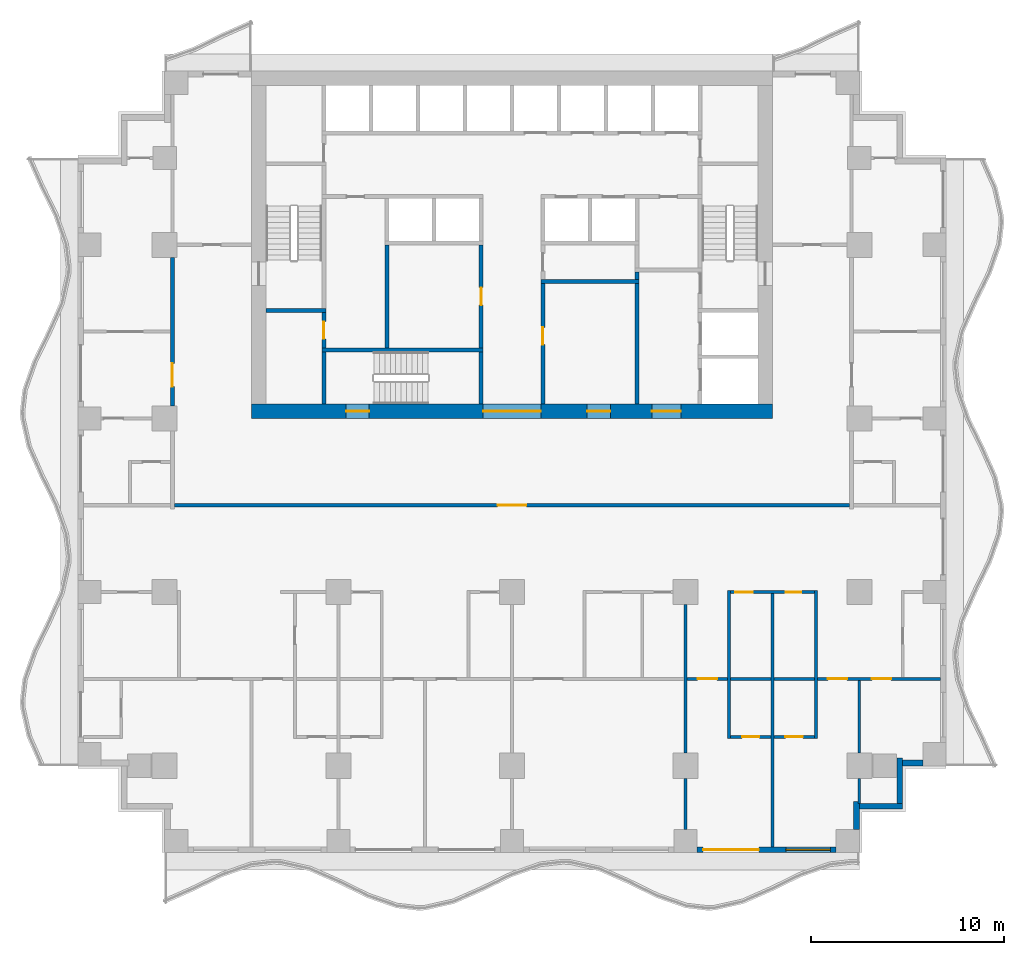
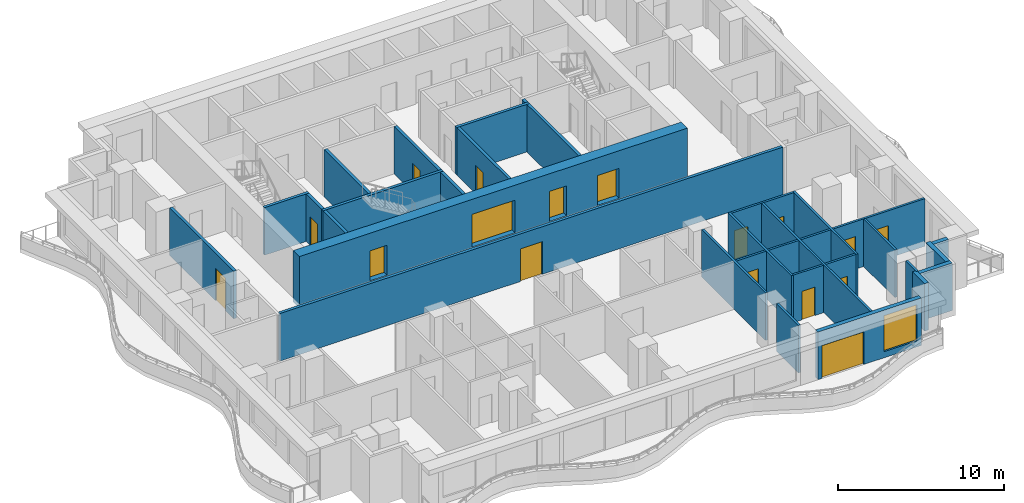
# One storey, part 3 of 10: 33 walls, 17 doors, 1 window, 18 openings.
"""IFC4 building model written with IfcOpenShell, lengths in metres."""

from ifc_helpers import new_model, si_unit, direction, frame, frame_2d, origin, place, context, subcontext, project, spatial, rectangle, extrude, material, layer, layer_set, type_object, element, fill, save


model = new_model("IFC4")

# Units and contexts
model_context = context("Model", 3, precision=1e-05, world=origin(), true_north=direction((0.0, 1.0)))
body_context = subcontext(model_context, "Body", "Model", "MODEL_VIEW")
ifc_project = project(units=[si_unit("LENGTHUNIT", "METRE"), si_unit("AREAUNIT", "SQUARE_METRE"), si_unit("VOLUMEUNIT", "CUBIC_METRE"), si_unit("PLANEANGLEUNIT", "RADIAN"), si_unit("MASSUNIT", "GRAM", prefix="KILO")], contexts=[model_context])

# Site, building, storey
site_placement = place(None, origin())
site = spatial("IfcSite", under=ifc_project, at=site_placement, CompositionType="ELEMENT")
building_placement = place(site_placement, origin())
building = spatial("IfcBuilding", under=site, at=building_placement, Name="Orbiselva Terraces", CompositionType="ELEMENT")
storey_placement = place(building_placement, frame((0.0, 0.0, 125.0)))
storey = spatial("IfcBuildingStorey", under=building, at=storey_placement, Name="L31", CompositionType="ELEMENT", Elevation=125.0)

# Wall, openings, doors
ifc_material_1 = material(Name="Concrete C80/95", Category="concrete")
ifc_layer_1 = layer(ifc_material_1, 0.75)
ifc_layer_set_1 = layer_set([ifc_layer_1], Name="Concrete C80/95")
wall_type_1 = type_object("IfcWallType", Name="CORE WALL 750", PredefinedType="SHEAR", material=ifc_layer_set_1)
wall_1_placement = place(storey_placement, frame((-13.5, 4.875, -0.3), z_axis=(0.0, 0.0, 1.0), x_axis=(1.0, 0.0, 0.0)))
wall_1 = element("IfcWall", 1, at=wall_1_placement, inside=storey, type_object=wall_type_1, Name="Core wall L31 south", PredefinedType="SHEAR", context=body_context, shape_type="SweptSolid", body=[
    extrude(rectangle(XDim=27.0, YDim=0.75, at=frame_2d((13.5, 0.0))), origin(), (0.0, 0.0, 1.0), 3.8),
])
opening_1_placement = place(wall_1_placement, frame((12.0, 0.0, 0.3)))
opening_1 = element("IfcOpeningElement", 2, at=opening_1_placement, cuts=wall_1, Name="Opening DL3000", PredefinedType="OPENING", context=body_context, shape_type="SweptSolid", body=[
    extrude(rectangle(XDim=3.0, YDim=2.4, at=frame_2d((1.5, 1.2))), frame((0.0, 0.385, 0.0), z_axis=(0.0, -1.0, 0.0), x_axis=(1.0, 0.0, 0.0)), (0.0, 0.0, 1.0), 0.77),
])
opening_2_placement = place(wall_1_placement, frame((4.9, 0.0, 0.3)))
opening_2 = element("IfcOpeningElement", 3, at=opening_2_placement, cuts=wall_1, Name="Opening DS1200", PredefinedType="OPENING", context=body_context, shape_type="SweptSolid", body=[
    extrude(rectangle(XDim=1.2, YDim=2.2, at=frame_2d((0.6, 1.1))), frame((0.0, 0.385, 0.0), z_axis=(0.0, -1.0, 0.0), x_axis=(1.0, 0.0, 0.0)), (0.0, 0.0, 1.0), 0.77),
])
opening_3_placement = place(wall_1_placement, frame((20.75, 0.0, 0.3)))
opening_3 = element("IfcOpeningElement", 4, at=opening_3_placement, cuts=wall_1, Name="Opening DF1500", PredefinedType="OPENING", context=body_context, shape_type="SweptSolid", body=[
    extrude(rectangle(XDim=1.5, YDim=2.2, at=frame_2d((0.75, 1.1))), frame((0.0, 0.385, 0.0), z_axis=(0.0, -1.0, 0.0), x_axis=(1.0, 0.0, 0.0)), (0.0, 0.0, 1.0), 0.77),
])
opening_4_placement = place(wall_1_placement, frame((17.4, 0.0, 0.3)))
opening_4 = element("IfcOpeningElement", 5, at=opening_4_placement, cuts=wall_1, Name="Opening DV1200", PredefinedType="OPENING", context=body_context, shape_type="SweptSolid", body=[
    extrude(rectangle(XDim=1.2, YDim=2.2, at=frame_2d((0.6, 1.1))), frame((0.0, 0.385, 0.0), z_axis=(0.0, -1.0, 0.0), x_axis=(1.0, 0.0, 0.0)), (0.0, 0.0, 1.0), 0.77),
])
ifc_material_2 = material(Name="Steel fire door", Category="steel")
door_type_1 = type_object("IfcDoorType", Name="FFL DOOR 1500", OperationType="DOUBLE_DOOR_SINGLE_SWING", PredefinedType="DOOR", material=ifc_material_2)
door_1_placement = place(opening_3_placement, frame((1.5, 0.0, 0.0), z_axis=(0.0, 0.0, 1.0), x_axis=(-1.0, 0.0, 0.0)))
door_1 = element("IfcDoor", 6, at=door_1_placement, inside=storey, type_object=door_type_1, Name="L31 FIRE-FIGHTING LOBBY door", OperationType="DOUBLE_DOOR_SINGLE_SWING", OverallHeight=2.2, OverallWidth=1.5, PredefinedType="DOOR", context=body_context, shape_type="SweptSolid", body=[
    extrude(rectangle(XDim=1.5, YDim=2.2, at=frame_2d((0.75, 1.1))), frame((0.0, 0.025, 0.0), z_axis=(0.0, -1.0, 0.0), x_axis=(1.0, 0.0, 0.0)), (0.0, 0.0, 1.0), 0.05),
])
fill(opening_3, door_1)
door_type_2 = type_object("IfcDoorType", Name="LOBBY DOOR 3000", OperationType="DOUBLE_DOOR_SINGLE_SWING", PredefinedType="DOOR", material=ifc_material_2)
door_2_placement = place(opening_1_placement, frame((3.0, 0.0, 0.0), z_axis=(0.0, 0.0, 1.0), x_axis=(-1.0, 0.0, 0.0)))
door_2 = element("IfcDoor", 7, at=door_2_placement, inside=storey, type_object=door_type_2, Name="L31 LIFT LOBBY door", OperationType="DOUBLE_DOOR_SINGLE_SWING", OverallHeight=2.4, OverallWidth=3.0, PredefinedType="DOOR", context=body_context, shape_type="SweptSolid", body=[
    extrude(rectangle(XDim=3.0, YDim=2.4, at=frame_2d((1.5, 1.2))), frame((0.0, 0.025, 0.0), z_axis=(0.0, -1.0, 0.0), x_axis=(1.0, 0.0, 0.0)), (0.0, 0.0, 1.0), 0.05),
])
fill(opening_1, door_2)
door_type_3 = type_object("IfcDoorType", Name="SERVICE DOOR 1200", OperationType="NOTDEFINED", PredefinedType="DOOR", material=ifc_material_2)
door_3_placement = place(opening_4_placement, frame((1.2, 0.0, 0.0), z_axis=(0.0, 0.0, 1.0), x_axis=(-1.0, 0.0, 0.0)))
door_3 = element("IfcDoor", 8, at=door_3_placement, inside=storey, type_object=door_type_3, Name="L31 SERVICE ROOM door", OperationType="SINGLE_SWING_RIGHT", OverallHeight=2.2, OverallWidth=1.2, PredefinedType="DOOR", context=body_context, shape_type="SweptSolid", body=[
    extrude(rectangle(XDim=1.2, YDim=2.2, at=frame_2d((0.6, 1.1))), frame((0.0, 0.025, 0.0), z_axis=(0.0, -1.0, 0.0), x_axis=(1.0, 0.0, 0.0)), (0.0, 0.0, 1.0), 0.05),
])
fill(opening_4, door_3)
door_type_4 = type_object("IfcDoorType", Name="STAIR DOOR 1200", OperationType="NOTDEFINED", PredefinedType="DOOR", material=ifc_material_2)
door_4_placement = place(opening_2_placement, frame((1.2, 0.0, 0.0), z_axis=(0.0, 0.0, 1.0), x_axis=(-1.0, 0.0, 0.0)))
door_4 = element("IfcDoor", 9, at=door_4_placement, inside=storey, type_object=door_type_4, Name="L31 EXIT STAIR S3 door", OperationType="SINGLE_SWING_LEFT", OverallHeight=2.2, OverallWidth=1.2, PredefinedType="DOOR", context=body_context, shape_type="SweptSolid", body=[
    extrude(rectangle(XDim=1.2, YDim=2.2, at=frame_2d((0.6, 1.1))), frame((0.0, 0.025, 0.0), z_axis=(0.0, -1.0, 0.0), x_axis=(1.0, 0.0, 0.0)), (0.0, 0.0, 1.0), 0.05),
])
fill(opening_2, door_4)

# Wall, opening, door
ifc_material_3 = material(Name="Masonry blockwork", Category="masonry")
ifc_layer_2 = layer(ifc_material_3, 0.2)
ifc_layer_set_2 = layer_set([ifc_layer_2], Name="Masonry blockwork")
wall_type_2 = type_object("IfcWallType", Name="CORE-WALL-PARTITION-200", PredefinedType="PARTITIONING", material=ifc_layer_set_2)
wall_2_placement = place(storey_placement, frame((-9.75, 8.15, 0.0), z_axis=(0.0, 0.0, 1.0), x_axis=(0.0, 1.0, 0.0)))
wall_2 = element("IfcWall", 10, at=wall_2_placement, inside=storey, type_object=wall_type_2, Name="L31 core wall 05", PredefinedType="PARTITIONING", context=body_context, shape_type="SweptSolid", body=[
    extrude(rectangle(XDim=1.85, YDim=0.2, at=frame_2d((0.925, 0.0))), origin(), (0.0, 0.0, 1.0), 3.5),
])
opening_5_placement = place(wall_2_placement, frame((0.475, 0.0, 0.0)))
opening_5 = element("IfcOpeningElement", 11, at=opening_5_placement, cuts=wall_2, Name="Opening DR900", PredefinedType="OPENING", context=body_context, shape_type="SweptSolid", body=[
    extrude(rectangle(XDim=0.9, YDim=2.1, at=frame_2d((0.45, 1.05))), frame((0.0, 0.11, 0.0), z_axis=(0.0, -1.0, 0.0), x_axis=(1.0, 0.0, 0.0)), (0.0, 0.0, 1.0), 0.22),
])
door_type_5 = type_object("IfcDoorType", Name="ROOM DOOR 900", OperationType="NOTDEFINED", PredefinedType="DOOR", material=ifc_material_2)
door_5_placement = place(opening_5_placement, origin())
door_5 = element("IfcDoor", 12, at=door_5_placement, inside=storey, type_object=door_type_5, Name="L31 STAFF WC door", OperationType="SINGLE_SWING_RIGHT", OverallHeight=2.1, OverallWidth=0.9, PredefinedType="DOOR", context=body_context, shape_type="SweptSolid", body=[
    extrude(rectangle(XDim=0.9, YDim=2.1, at=frame_2d((0.45, 1.05))), frame((0.0, 0.025, 0.0), z_axis=(0.0, -1.0, 0.0), x_axis=(1.0, 0.0, 0.0)), (0.0, 0.0, 1.0), 0.05),
])
fill(opening_5, door_5)

# Walls
wall_3_placement = place(storey_placement, frame((-6.475, 8.15, 0.0), z_axis=(0.0, 0.0, 1.0), x_axis=(0.0, 1.0, 0.0)))
element("IfcWall", 13, at=wall_3_placement, inside=storey, type_object=wall_type_2, Name="L31 core wall 13", PredefinedType="PARTITIONING", context=body_context, shape_type="SweptSolid", body=[
    extrude(rectangle(XDim=5.35, YDim=0.2, at=frame_2d((2.675, 0.0))), origin(), (0.0, 0.0, 1.0), 3.5),
])
ifc_material_4 = material(Name="Concrete C60/75", Category="concrete")
ifc_layer_3 = layer(ifc_material_4, 0.2)
ifc_layer_set_3 = layer_set([ifc_layer_3], Name="Concrete C60/75")
wall_type_3 = type_object("IfcWallType", Name="CORE-WALL-SHEAR-200", PredefinedType="SHEAR", material=ifc_layer_set_3)
wall_4_placement = place(storey_placement, frame((-12.75, 10.1, 0.0), z_axis=(0.0, 0.0, 1.0), x_axis=(1.0, 0.0, 0.0)))
element("IfcWall", 14, at=wall_4_placement, inside=storey, type_object=wall_type_3, Name="L31 core wall 01", PredefinedType="SHEAR", context=body_context, shape_type="SweptSolid", body=[
    extrude(rectangle(XDim=3.1, YDim=0.2, at=frame_2d((1.55, 0.0))), origin(), (0.0, 0.0, 1.0), 3.5),
])
wall_5_placement = place(storey_placement, frame((-9.75, 5.25, 0.0), z_axis=(0.0, 0.0, 1.0), x_axis=(0.0, 1.0, 0.0)))
element("IfcWall", 15, at=wall_5_placement, inside=storey, type_object=wall_type_3, Name="L31 core wall 03", PredefinedType="SHEAR", context=body_context, shape_type="SweptSolid", body=[
    extrude(rectangle(XDim=2.7, YDim=0.2, at=frame_2d((1.35, 0.0))), origin(), (0.0, 0.0, 1.0), 3.5),
])
wall_6_placement = place(storey_placement, frame((-9.85, 8.05, 0.0), z_axis=(0.0, 0.0, 1.0), x_axis=(1.0, 0.0, 0.0)))
element("IfcWall", 16, at=wall_6_placement, inside=storey, type_object=wall_type_3, Name="L31 core wall 04", PredefinedType="SHEAR", context=body_context, shape_type="SweptSolid", body=[
    extrude(rectangle(XDim=8.35, YDim=0.2, at=frame_2d((4.175, 0.0))), origin(), (0.0, 0.0, 1.0), 3.5),
])
wall_7_placement = place(storey_placement, frame((-1.6, 5.25, 0.0), z_axis=(0.0, 0.0, 1.0), x_axis=(0.0, 1.0, 0.0)))
element("IfcWall", 17, at=wall_7_placement, inside=storey, type_object=wall_type_3, Name="L31 core wall 19", PredefinedType="SHEAR", context=body_context, shape_type="SweptSolid", body=[
    extrude(rectangle(XDim=2.7, YDim=0.2, at=frame_2d((1.35, 0.0))), origin(), (0.0, 0.0, 1.0), 3.5),
])

# Wall, opening, door
wall_8_placement = place(storey_placement, frame((-1.6, 8.15, 0.0), z_axis=(0.0, 0.0, 1.0), x_axis=(0.0, 1.0, 0.0)))
wall_8 = element("IfcWall", 18, at=wall_8_placement, inside=storey, type_object=wall_type_3, Name="L31 core wall 20", PredefinedType="SHEAR", context=body_context, shape_type="SweptSolid", body=[
    extrude(rectangle(XDim=5.35, YDim=0.2, at=frame_2d((2.675, 0.0))), origin(), (0.0, 0.0, 1.0), 3.5),
])
opening_6_placement = place(wall_8_placement, frame((2.225, 0.0, 0.0)))
opening_6 = element("IfcOpeningElement", 19, at=opening_6_placement, cuts=wall_8, Name="Opening DR900", PredefinedType="OPENING", context=body_context, shape_type="SweptSolid", body=[
    extrude(rectangle(XDim=0.9, YDim=2.1, at=frame_2d((0.45, 1.05))), frame((0.0, 0.11, 0.0), z_axis=(0.0, -1.0, 0.0), x_axis=(1.0, 0.0, 0.0)), (0.0, 0.0, 1.0), 0.22),
])
door_6_placement = place(opening_6_placement, origin())
door_6 = element("IfcDoor", 20, at=door_6_placement, inside=storey, type_object=door_type_5, Name="L31 HOUSEKEEPING STORE door", OperationType="SINGLE_SWING_RIGHT", OverallHeight=2.1, OverallWidth=0.9, PredefinedType="DOOR", context=body_context, shape_type="SweptSolid", body=[
    extrude(rectangle(XDim=0.9, YDim=2.1, at=frame_2d((0.45, 1.05))), frame((0.0, 0.025, 0.0), z_axis=(0.0, -1.0, 0.0), x_axis=(1.0, 0.0, 0.0)), (0.0, 0.0, 1.0), 0.05),
])
fill(opening_6, door_6)

wall_9_placement = place(storey_placement, frame((1.6, 11.5, 0.0), z_axis=(0.0, 0.0, 1.0), x_axis=(0.0, -1.0, 0.0)))
wall_9 = element("IfcWall", 21, at=wall_9_placement, inside=storey, type_object=wall_type_3, Name="L31 core wall 23", PredefinedType="SHEAR", context=body_context, shape_type="SweptSolid", body=[
    extrude(rectangle(XDim=6.25, YDim=0.2, at=frame_2d((3.125, 0.0))), origin(), (0.0, 0.0, 1.0), 3.5),
])
opening_7_placement = place(wall_9_placement, frame((2.275, 0.0, 0.0)))
opening_7 = element("IfcOpeningElement", 22, at=opening_7_placement, cuts=wall_9, Name="Opening DR900", PredefinedType="OPENING", context=body_context, shape_type="SweptSolid", body=[
    extrude(rectangle(XDim=0.9, YDim=2.1, at=frame_2d((0.45, 1.05))), frame((0.0, 0.11, 0.0), z_axis=(0.0, -1.0, 0.0), x_axis=(1.0, 0.0, 0.0)), (0.0, 0.0, 1.0), 0.22),
])
door_7_placement = place(opening_7_placement, origin())
door_7 = element("IfcDoor", 23, at=door_7_placement, inside=storey, type_object=door_type_5, Name="L31 SERVICE ROOM door", OperationType="SINGLE_SWING_LEFT", OverallHeight=2.1, OverallWidth=0.9, PredefinedType="DOOR", context=body_context, shape_type="SweptSolid", body=[
    extrude(rectangle(XDim=0.9, YDim=2.1, at=frame_2d((0.45, 1.05))), frame((0.0, 0.025, 0.0), z_axis=(0.0, -1.0, 0.0), x_axis=(1.0, 0.0, 0.0)), (0.0, 0.0, 1.0), 0.05),
])
fill(opening_7, door_7)

# Walls
wall_10_placement = place(storey_placement, frame((1.5, 11.6, 0.0), z_axis=(0.0, 0.0, 1.0), x_axis=(1.0, 0.0, 0.0)))
element("IfcWall", 24, at=wall_10_placement, inside=storey, type_object=wall_type_3, Name="L31 core wall 24", PredefinedType="SHEAR", context=body_context, shape_type="SweptSolid", body=[
    extrude(rectangle(XDim=5.075, YDim=0.2, at=frame_2d((2.5375, 0.0))), origin(), (0.0, 0.0, 1.0), 3.5),
])
wall_11_placement = place(storey_placement, frame((6.475, 5.25, 0.0), z_axis=(0.0, 0.0, 1.0), x_axis=(0.0, 1.0, 0.0)))
element("IfcWall", 25, at=wall_11_placement, inside=storey, type_object=wall_type_3, Name="L31 core wall 32", PredefinedType="SHEAR", context=body_context, shape_type="SweptSolid", body=[
    extrude(rectangle(XDim=6.25, YDim=0.2, at=frame_2d((3.125, 0.0))), origin(), (0.0, 0.0, 1.0), 3.5),
])
wall_12_placement = place(storey_placement, frame((6.475, 11.7, 0.0), z_axis=(0.0, 0.0, 1.0), x_axis=(0.0, 1.0, 0.0)))
element("IfcWall", 26, at=wall_12_placement, inside=storey, type_object=wall_type_3, Name="L31 core wall 33", PredefinedType="SHEAR", context=body_context, shape_type="SweptSolid", body=[
    extrude(rectangle(XDim=0.4, YDim=0.2, at=frame_2d((0.2, 0.0))), origin(), (0.0, 0.0, 1.0), 3.5),
])

# Wall, openings, door, window
ifc_material_5 = material(Name="Terracotta cladding on masonry backing", Category="masonry")
ifc_layer_4 = layer(ifc_material_5, 0.3)
ifc_layer_set_4 = layer_set([ifc_layer_4], Name="Terracotta cladding on masonry backing")
wall_type_4 = type_object("IfcWallType", Name="ENV-WALL-TERRACOTTA-300", PredefinedType="SOLIDWALL", material=ifc_layer_set_4)
wall_13_placement = place(storey_placement, frame((16.8, -17.85, 0.0), z_axis=(0.0, 0.0, 1.0), x_axis=(-1.0, 0.0, 0.0)))
wall_13 = element("IfcWall", 27, at=wall_13_placement, inside=storey, type_object=wall_type_4, Name="Facade wall L31 S", PredefinedType="SOLIDWALL", context=body_context, shape_type="SweptSolid", body=[
    extrude(rectangle(XDim=7.2, YDim=0.3, at=frame_2d((3.6, 0.0))), origin(), (0.0, 0.0, 1.0), 3.5),
])
opening_8_placement = place(wall_13_placement, frame((4.0, 0.0, 0.0)))
opening_8 = element("IfcOpeningElement", 28, at=opening_8_placement, cuts=wall_13, Name="Opening Z3-A-E03", PredefinedType="OPENING", context=body_context, shape_type="SweptSolid", body=[
    extrude(rectangle(XDim=2.9, YDim=2.4, at=frame_2d((1.45, 1.2))), frame((0.0, 0.16, 0.0), z_axis=(0.0, -1.0, 0.0), x_axis=(1.0, 0.0, 0.0)), (0.0, 0.0, 1.0), 0.32),
])
opening_9_placement = place(wall_13_placement, frame((0.3, 0.0, 0.45)))
opening_9 = element("IfcOpeningElement", 29, at=opening_9_placement, cuts=wall_13, Name="Opening WN7", PredefinedType="OPENING", context=body_context, shape_type="SweptSolid", body=[
    extrude(rectangle(XDim=2.3, YDim=2.65, at=frame_2d((1.15, 1.325))), frame((0.0, 0.16, 0.0), z_axis=(0.0, -1.0, 0.0), x_axis=(1.0, 0.0, 0.0)), (0.0, 0.0, 1.0), 0.32),
])
ifc_material_6 = material(Name="Clear low-e glazing in aluminium frame", Category="aluminium")
door_type_6 = type_object("IfcDoorType", Name="BALCONY DOOR 2900 X 2400", OperationType="DOUBLE_DOOR_SLIDING", PredefinedType="DOOR", material=ifc_material_6)
door_8_placement = place(opening_8_placement, origin())
door_8 = element("IfcDoor", 30, at=door_8_placement, inside=storey, type_object=door_type_6, Name="Z3-A-E03", OperationType="SINGLE_SWING_LEFT", OverallHeight=2.4, OverallWidth=2.9, PredefinedType="DOOR", context=body_context, shape_type="SweptSolid", body=[
    extrude(rectangle(XDim=2.9, YDim=2.4, at=frame_2d((1.45, 1.2))), frame((0.0, 0.025, 0.0), z_axis=(0.0, -1.0, 0.0), x_axis=(1.0, 0.0, 0.0)), (0.0, 0.0, 1.0), 0.05),
])
fill(opening_8, door_8)
window_type = type_object("IfcWindowType", Name="WINDOW 2300 X 2650 S450", PartitioningType="TRIPLE_PANEL_VERTICAL", PredefinedType="WINDOW", material=ifc_material_6)
window_placement = place(opening_9_placement, origin())
window = element("IfcWindow", 31, at=window_placement, inside=storey, type_object=window_type, Name="Window L31 S", OverallHeight=2.65, OverallWidth=2.3, PartitioningType="SINGLE_PANEL", PredefinedType="WINDOW", context=body_context, shape_type="SweptSolid", body=[
    extrude(rectangle(XDim=2.3, YDim=2.65, at=frame_2d((1.15, 1.325))), frame((0.0, 0.03, 0.0), z_axis=(0.0, -1.0, 0.0), x_axis=(1.0, 0.0, 0.0)), (0.0, 0.0, 1.0), 0.06),
])
fill(opening_9, window)

# Walls
wall_14_placement = place(storey_placement, frame((17.85, -15.35, 0.0), z_axis=(0.0, 0.0, 1.0), x_axis=(0.0, -1.0, 0.0)))
element("IfcWall", 32, at=wall_14_placement, inside=storey, type_object=wall_type_4, Name="Facade wall L31 STEP", PredefinedType="SOLIDWALL", context=body_context, shape_type="SweptSolid", body=[
    extrude(rectangle(XDim=1.45, YDim=0.3, at=frame_2d((0.725, 0.0))), origin(), (0.0, 0.0, 1.0), 3.5),
])
wall_15_placement = place(storey_placement, frame((20.25, -15.6, 0.0), z_axis=(0.0, 0.0, 1.0), x_axis=(-1.0, 0.0, 0.0)))
element("IfcWall", 33, at=wall_15_placement, inside=storey, type_object=wall_type_4, Name="Facade wall L31 STEP", PredefinedType="SOLIDWALL", context=body_context, shape_type="SweptSolid", body=[
    extrude(rectangle(XDim=2.25, YDim=0.3, at=frame_2d((1.125, 0.0))), origin(), (0.0, 0.0, 1.0), 3.5),
])
wall_16_placement = place(storey_placement, frame((20.1, -13.1, 0.0), z_axis=(0.0, 0.0, 1.0), x_axis=(0.0, -1.0, 0.0)))
element("IfcWall", 34, at=wall_16_placement, inside=storey, type_object=wall_type_4, Name="Facade wall L31 STEP", PredefinedType="SOLIDWALL", context=body_context, shape_type="SweptSolid", body=[
    extrude(rectangle(XDim=2.35, YDim=0.3, at=frame_2d((1.175, 0.0))), origin(), (0.0, 0.0, 1.0), 3.5),
])
wall_17_placement = place(storey_placement, frame((21.3, -13.35, 0.0), z_axis=(0.0, 0.0, 1.0), x_axis=(-1.0, 0.0, 0.0)))
element("IfcWall", 35, at=wall_17_placement, inside=storey, type_object=wall_type_4, Name="Facade wall L31 STEP", PredefinedType="SOLIDWALL", context=body_context, shape_type="SweptSolid", body=[
    extrude(rectangle(XDim=1.05, YDim=0.3, at=frame_2d((0.525, 0.0))), origin(), (0.0, 0.0, 1.0), 3.5),
])

# Wall, opening, door
ifc_material_7 = material(Name="Plasterboard on steel stud partition", Category="steel")
ifc_layer_5 = layer(ifc_material_7, 0.2)
ifc_layer_set_5 = layer_set([ifc_layer_5], Name="Plasterboard on steel stud partition")
wall_type_5 = type_object("IfcWallType", Name="UNIT-ENTRANCE-WALL-200", PredefinedType="PARTITIONING", material=ifc_layer_set_5)
wall_18_placement = place(storey_placement, frame((17.5, 0.0, 0.0), z_axis=(0.0, 0.0, 1.0), x_axis=(-1.0, 0.0, 0.0)))
wall_18 = element("IfcWall", 36, at=wall_18_placement, inside=storey, type_object=wall_type_5, Name="PARTITION L31-022", PredefinedType="PARTITIONING", context=body_context, shape_type="SweptSolid", body=[
    extrude(rectangle(XDim=35.0, YDim=0.2, at=frame_2d((17.5, 0.0))), origin(), (0.0, 0.0, 1.0), 3.5),
])
opening_10_placement = place(wall_18_placement, frame((16.75, 0.0, 0.0)))
opening_10 = element("IfcOpeningElement", 37, at=opening_10_placement, cuts=wall_18, Name="Opening Z3-A-13", PredefinedType="OPENING", context=body_context, shape_type="SweptSolid", body=[
    extrude(rectangle(XDim=1.5, YDim=2.4, at=frame_2d((0.75, 1.2))), frame((0.0, 0.11, 0.0), z_axis=(0.0, -1.0, 0.0), x_axis=(1.0, 0.0, 0.0)), (0.0, 0.0, 1.0), 0.22),
])
ifc_material_8 = material(Name="Painted timber door leaf", Category="wood")
door_type_7 = type_object("IfcDoorType", Name="ENTRANCE DOUBLE DOOR 1500", OperationType="NOTDEFINED", PredefinedType="DOOR", material=ifc_material_8)
door_9_placement = place(opening_10_placement, origin())
door_9 = element("IfcDoor", 38, at=door_9_placement, inside=storey, type_object=door_type_7, Name="Z3-A-13", OperationType="DOUBLE_DOOR_SINGLE_SWING", OverallHeight=2.4, OverallWidth=1.5, PredefinedType="DOOR", context=body_context, shape_type="SweptSolid", body=[
    extrude(rectangle(XDim=1.5, YDim=2.4, at=frame_2d((0.75, 1.2))), frame((0.0, 0.025, 0.0), z_axis=(0.0, -1.0, 0.0), x_axis=(1.0, 0.0, 0.0)), (0.0, 0.0, 1.0), 0.05),
])
fill(opening_10, door_9)

wall_19_placement = place(storey_placement, frame((-17.6, 5.15, 0.0), z_axis=(0.0, 0.0, 1.0), x_axis=(0.0, 1.0, 0.0)))
wall_19 = element("IfcWall", 39, at=wall_19_placement, inside=storey, type_object=wall_type_5, Name="PARTITION L31-038", PredefinedType="PARTITIONING", context=body_context, shape_type="SweptSolid", body=[
    extrude(rectangle(XDim=7.7, YDim=0.2, at=frame_2d((3.85, 0.0))), origin(), (0.0, 0.0, 1.0), 3.5),
])
opening_11_placement = place(wall_19_placement, frame((1.0, 0.0, 0.0)))
opening_11 = element("IfcOpeningElement", 40, at=opening_11_placement, cuts=wall_19, Name="Opening Z3-A-05", PredefinedType="OPENING", context=body_context, shape_type="SweptSolid", body=[
    extrude(rectangle(XDim=1.2, YDim=2.4, at=frame_2d((0.6, 1.2))), frame((0.0, 0.11, 0.0), z_axis=(0.0, -1.0, 0.0), x_axis=(1.0, 0.0, 0.0)), (0.0, 0.0, 1.0), 0.22),
])
door_type_8 = type_object("IfcDoorType", Name="ENTRANCE DOOR 1200", OperationType="NOTDEFINED", PredefinedType="DOOR", material=ifc_material_8)
door_10_placement = place(opening_11_placement, origin())
door_10 = element("IfcDoor", 41, at=door_10_placement, inside=storey, type_object=door_type_8, Name="Z3-A-05", OperationType="SINGLE_SWING_LEFT", OverallHeight=2.4, OverallWidth=1.2, PredefinedType="DOOR", context=body_context, shape_type="SweptSolid", body=[
    extrude(rectangle(XDim=1.2, YDim=2.4, at=frame_2d((0.6, 1.2))), frame((0.0, 0.025, 0.0), z_axis=(0.0, -1.0, 0.0), x_axis=(1.0, 0.0, 0.0)), (0.0, 0.0, 1.0), 0.05),
])
fill(opening_11, door_10)

ifc_layer_6 = layer(ifc_material_7, 0.15)
ifc_layer_set_6 = layer_set([ifc_layer_6], Name="Plasterboard on steel stud partition")
wall_type_6 = type_object("IfcWallType", Name="UNIT-PARTITION-150", PredefinedType="PARTITIONING", material=ifc_layer_set_6)
wall_20_placement = place(storey_placement, frame((11.325, -12.0, 0.0), z_axis=(0.0, 0.0, 1.0), x_axis=(1.0, 0.0, 0.0)))
wall_20 = element("IfcWall", 42, at=wall_20_placement, inside=storey, type_object=wall_type_6, Name="PARTITION L31-004", PredefinedType="PARTITIONING", context=body_context, shape_type="SweptSolid", body=[
    extrude(rectangle(XDim=2.1, YDim=0.15, at=frame_2d((1.05, 0.0))), origin(), (0.0, 0.0, 1.0), 3.5),
])
opening_12_placement = place(wall_20_placement, frame((0.6, 0.0, 0.0)))
opening_12 = element("IfcOpeningElement", 43, at=opening_12_placement, cuts=wall_20, Name="Opening Z3-A-32", PredefinedType="OPENING", context=body_context, shape_type="SweptSolid", body=[
    extrude(rectangle(XDim=0.9, YDim=2.1, at=frame_2d((0.45, 1.05))), frame((0.0, 0.085, 0.0), z_axis=(0.0, -1.0, 0.0), x_axis=(1.0, 0.0, 0.0)), (0.0, 0.0, 1.0), 0.17),
])
door_type_9 = type_object("IfcDoorType", Name="BATH DOOR 900", OperationType="NOTDEFINED", PredefinedType="DOOR", material=ifc_material_8)
door_11_placement = place(opening_12_placement, origin())
door_11 = element("IfcDoor", 44, at=door_11_placement, inside=storey, type_object=door_type_9, Name="Z3-A-32", OperationType="SINGLE_SWING_LEFT", OverallHeight=2.1, OverallWidth=0.9, PredefinedType="DOOR", context=body_context, shape_type="SweptSolid", body=[
    extrude(rectangle(XDim=0.9, YDim=2.1, at=frame_2d((0.45, 1.05))), frame((0.0, 0.025, 0.0), z_axis=(0.0, -1.0, 0.0), x_axis=(1.0, 0.0, 0.0)), (0.0, 0.0, 1.0), 0.05),
])
fill(opening_12, door_11)

wall_21_placement = place(storey_placement, frame((13.575, -12.0, 0.0), z_axis=(0.0, 0.0, 1.0), x_axis=(1.0, 0.0, 0.0)))
wall_21 = element("IfcWall", 45, at=wall_21_placement, inside=storey, type_object=wall_type_6, Name="PARTITION L31-005", PredefinedType="PARTITIONING", context=body_context, shape_type="SweptSolid", body=[
    extrude(rectangle(XDim=2.1, YDim=0.15, at=frame_2d((1.05, 0.0))), origin(), (0.0, 0.0, 1.0), 3.5),
])
opening_13_placement = place(wall_21_placement, frame((0.6, 0.0, 0.0)))
opening_13 = element("IfcOpeningElement", 46, at=opening_13_placement, cuts=wall_21, Name="Opening Z3-A-34", PredefinedType="OPENING", context=body_context, shape_type="SweptSolid", body=[
    extrude(rectangle(XDim=0.9, YDim=2.1, at=frame_2d((0.45, 1.05))), frame((0.0, 0.085, 0.0), z_axis=(0.0, -1.0, 0.0), x_axis=(1.0, 0.0, 0.0)), (0.0, 0.0, 1.0), 0.17),
])
door_12_placement = place(opening_13_placement, origin())
door_12 = element("IfcDoor", 47, at=door_12_placement, inside=storey, type_object=door_type_9, Name="Z3-A-34", OperationType="SINGLE_SWING_LEFT", OverallHeight=2.1, OverallWidth=0.9, PredefinedType="DOOR", context=body_context, shape_type="SweptSolid", body=[
    extrude(rectangle(XDim=0.9, YDim=2.1, at=frame_2d((0.45, 1.05))), frame((0.0, 0.025, 0.0), z_axis=(0.0, -1.0, 0.0), x_axis=(1.0, 0.0, 0.0)), (0.0, 0.0, 1.0), 0.05),
])
fill(opening_13, door_12)

wall_22_placement = place(storey_placement, frame((11.175, -9.0, 0.0), z_axis=(0.0, 0.0, 1.0), x_axis=(-1.0, 0.0, 0.0)))
wall_22 = element("IfcWall", 48, at=wall_22_placement, inside=storey, type_object=wall_type_6, Name="PARTITION L31-011", PredefinedType="PARTITIONING", context=body_context, shape_type="SweptSolid", body=[
    extrude(rectangle(XDim=2.1, YDim=0.15, at=frame_2d((1.05, 0.0))), origin(), (0.0, 0.0, 1.0), 3.5),
])
opening_14_placement = place(wall_22_placement, frame((0.55, 0.0, 0.0)))
opening_14 = element("IfcOpeningElement", 49, at=opening_14_placement, cuts=wall_22, Name="Opening Z3-A-31", PredefinedType="OPENING", context=body_context, shape_type="SweptSolid", body=[
    extrude(rectangle(XDim=1.0, YDim=2.4, at=frame_2d((0.5, 1.2))), frame((0.0, 0.085, 0.0), z_axis=(0.0, -1.0, 0.0), x_axis=(1.0, 0.0, 0.0)), (0.0, 0.0, 1.0), 0.17),
])
door_type_10 = type_object("IfcDoorType", Name="ROOM DOOR 1000", OperationType="NOTDEFINED", PredefinedType="DOOR", material=ifc_material_8)
door_13_placement = place(opening_14_placement, origin())
door_13 = element("IfcDoor", 50, at=door_13_placement, inside=storey, type_object=door_type_10, Name="Z3-A-31", OperationType="SINGLE_SWING_RIGHT", OverallHeight=2.4, OverallWidth=1.0, PredefinedType="DOOR", context=body_context, shape_type="SweptSolid", body=[
    extrude(rectangle(XDim=1.0, YDim=2.4, at=frame_2d((0.5, 1.2))), frame((0.0, 0.025, 0.0), z_axis=(0.0, -1.0, 0.0), x_axis=(1.0, 0.0, 0.0)), (0.0, 0.0, 1.0), 0.05),
])
fill(opening_14, door_13)

# Walls
for number, where, z_axis, x_axis, name in (
    (51, (11.325, -9.0, 0.0), (0.0, 0.0, 1.0), (1.0, 0.0, 0.0), "PARTITION L31-012"),
    (52, (13.575, -9.0, 0.0), (0.0, 0.0, 1.0), (1.0, 0.0, 0.0), "PARTITION L31-013"),
):
    element("IfcWall", number, at=place(storey_placement, frame(where, z_axis=z_axis, x_axis=x_axis)), inside=storey, type_object=wall_type_6, Name=name, PredefinedType="PARTITIONING", context=body_context, shape_type="SweptSolid", body=[
        extrude(rectangle(XDim=2.1, YDim=0.15, at=frame_2d((1.05, 0.0))), origin(), (0.0, 0.0, 1.0), 3.5),
    ])

# Wall, openings, doors
wall_23_placement = place(storey_placement, frame((22.2, -9.0, 0.0), z_axis=(0.0, 0.0, 1.0), x_axis=(-1.0, 0.0, 0.0)))
wall_23 = element("IfcWall", 53, at=wall_23_placement, inside=storey, type_object=wall_type_6, Name="PARTITION L31-014", PredefinedType="PARTITIONING", context=body_context, shape_type="SweptSolid", body=[
    extrude(rectangle(XDim=6.375, YDim=0.15, at=frame_2d((3.1875, 0.0))), origin(), (0.0, 0.0, 1.0), 3.5),
])
opening_15_placement = place(wall_23_placement, frame((4.825, 0.0, 0.0)))
opening_15 = element("IfcOpeningElement", 54, at=opening_15_placement, cuts=wall_23, Name="Opening Z3-A-33", PredefinedType="OPENING", context=body_context, shape_type="SweptSolid", body=[
    extrude(rectangle(XDim=1.0, YDim=2.4, at=frame_2d((0.5, 1.2))), frame((0.0, 0.085, 0.0), z_axis=(0.0, -1.0, 0.0), x_axis=(1.0, 0.0, 0.0)), (0.0, 0.0, 1.0), 0.17),
])
opening_16_placement = place(wall_23_placement, frame((2.55, 0.0, 0.0)))
opening_16 = element("IfcOpeningElement", 55, at=opening_16_placement, cuts=wall_23, Name="Opening Z3-A-35", PredefinedType="OPENING", context=body_context, shape_type="SweptSolid", body=[
    extrude(rectangle(XDim=1.0, YDim=2.4, at=frame_2d((0.5, 1.2))), frame((0.0, 0.085, 0.0), z_axis=(0.0, -1.0, 0.0), x_axis=(1.0, 0.0, 0.0)), (0.0, 0.0, 1.0), 0.17),
])
door_14_placement = place(opening_15_placement, origin())
door_14 = element("IfcDoor", 56, at=door_14_placement, inside=storey, type_object=door_type_10, Name="Z3-A-33", OperationType="SINGLE_SWING_RIGHT", OverallHeight=2.4, OverallWidth=1.0, PredefinedType="DOOR", context=body_context, shape_type="SweptSolid", body=[
    extrude(rectangle(XDim=1.0, YDim=2.4, at=frame_2d((0.5, 1.2))), frame((0.0, 0.025, 0.0), z_axis=(0.0, -1.0, 0.0), x_axis=(1.0, 0.0, 0.0)), (0.0, 0.0, 1.0), 0.05),
])
fill(opening_15, door_14)
door_15_placement = place(opening_16_placement, origin())
door_15 = element("IfcDoor", 57, at=door_15_placement, inside=storey, type_object=door_type_10, Name="Z3-A-35", OperationType="SINGLE_SWING_LEFT", OverallHeight=2.4, OverallWidth=1.0, PredefinedType="DOOR", context=body_context, shape_type="SweptSolid", body=[
    extrude(rectangle(XDim=1.0, YDim=2.4, at=frame_2d((0.5, 1.2))), frame((0.0, 0.025, 0.0), z_axis=(0.0, -1.0, 0.0), x_axis=(1.0, 0.0, 0.0)), (0.0, 0.0, 1.0), 0.05),
])
fill(opening_16, door_15)

wall_24_placement = place(storey_placement, frame((15.675, -4.5, 0.0), z_axis=(0.0, 0.0, 1.0), x_axis=(-1.0, 0.0, 0.0)))
wall_24 = element("IfcWall", 58, at=wall_24_placement, inside=storey, type_object=wall_type_6, Name="PARTITION L31-020", PredefinedType="PARTITIONING", context=body_context, shape_type="SweptSolid", body=[
    extrude(rectangle(XDim=4.35, YDim=0.15, at=frame_2d((2.175, 0.0))), origin(), (0.0, 0.0, 1.0), 3.5),
])
opening_17_placement = place(wall_24_placement, frame((3.2, 0.0, 0.0)))
opening_17 = element("IfcOpeningElement", 59, at=opening_17_placement, cuts=wall_24, Name="Opening Z3-A-20", PredefinedType="OPENING", context=body_context, shape_type="SweptSolid", body=[
    extrude(rectangle(XDim=0.9, YDim=2.1, at=frame_2d((0.45, 1.05))), frame((0.0, 0.085, 0.0), z_axis=(0.0, -1.0, 0.0), x_axis=(1.0, 0.0, 0.0)), (0.0, 0.0, 1.0), 0.17),
])
opening_18_placement = place(wall_24_placement, frame((0.675, 0.0, 0.0)))
opening_18 = element("IfcOpeningElement", 60, at=opening_18_placement, cuts=wall_24, Name="Opening Z3-A-21", PredefinedType="OPENING", context=body_context, shape_type="SweptSolid", body=[
    extrude(rectangle(XDim=0.8, YDim=2.0, at=frame_2d((0.4, 1.0))), frame((0.0, 0.085, 0.0), z_axis=(0.0, -1.0, 0.0), x_axis=(1.0, 0.0, 0.0)), (0.0, 0.0, 1.0), 0.17),
])
door_type_11 = type_object("IfcDoorType", Name="SERVICE DOOR 900", OperationType="NOTDEFINED", PredefinedType="DOOR", material=ifc_material_8)
door_16_placement = place(opening_17_placement, origin())
door_16 = element("IfcDoor", 61, at=door_16_placement, inside=storey, type_object=door_type_11, Name="Z3-A-20", OperationType="SINGLE_SWING_RIGHT", OverallHeight=2.1, OverallWidth=0.9, PredefinedType="DOOR", context=body_context, shape_type="SweptSolid", body=[
    extrude(rectangle(XDim=0.9, YDim=2.1, at=frame_2d((0.45, 1.05))), frame((0.0, 0.025, 0.0), z_axis=(0.0, -1.0, 0.0), x_axis=(1.0, 0.0, 0.0)), (0.0, 0.0, 1.0), 0.05),
])
fill(opening_17, door_16)
door_type_12 = type_object("IfcDoorType", Name="STORE DOOR 800", OperationType="NOTDEFINED", PredefinedType="DOOR", material=ifc_material_8)
door_17_placement = place(opening_18_placement, origin())
door_17 = element("IfcDoor", 62, at=door_17_placement, inside=storey, type_object=door_type_12, Name="Z3-A-21", OperationType="SINGLE_SWING_LEFT", OverallHeight=2.0, OverallWidth=0.8, PredefinedType="DOOR", context=body_context, shape_type="SweptSolid", body=[
    extrude(rectangle(XDim=0.8, YDim=2.0, at=frame_2d((0.4, 1.0))), frame((0.0, 0.025, 0.0), z_axis=(0.0, -1.0, 0.0), x_axis=(1.0, 0.0, 0.0)), (0.0, 0.0, 1.0), 0.05),
])
fill(opening_18, door_17)

# Walls
wall_25_placement = place(storey_placement, frame((9.0, -16.8, 0.0), z_axis=(0.0, 0.0, 1.0), x_axis=(0.0, 1.0, 0.0)))
element("IfcWall", 63, at=wall_25_placement, inside=storey, type_object=wall_type_6, Name="PARTITION L31-053", PredefinedType="PARTITIONING", context=body_context, shape_type="SweptSolid", body=[
    extrude(rectangle(XDim=2.65, YDim=0.15, at=frame_2d((1.325, 0.0))), origin(), (0.0, 0.0, 1.0), 3.5),
])
wall_26_placement = place(storey_placement, frame((9.0, -12.85, 0.0), z_axis=(0.0, 0.0, 1.0), x_axis=(0.0, 1.0, 0.0)))
element("IfcWall", 64, at=wall_26_placement, inside=storey, type_object=wall_type_6, Name="PARTITION L31-054", PredefinedType="PARTITIONING", context=body_context, shape_type="SweptSolid", body=[
    extrude(rectangle(XDim=7.7, YDim=0.15, at=frame_2d((3.85, 0.0))), origin(), (0.0, 0.0, 1.0), 3.5),
])
wall_27_placement = place(storey_placement, frame((11.25, -12.075, 0.0), z_axis=(0.0, 0.0, 1.0), x_axis=(0.0, 1.0, 0.0)))
element("IfcWall", 65, at=wall_27_placement, inside=storey, type_object=wall_type_6, Name="PARTITION L31-055", PredefinedType="PARTITIONING", context=body_context, shape_type="SweptSolid", body=[
    extrude(rectangle(XDim=7.65, YDim=0.15, at=frame_2d((3.825, 0.0))), origin(), (0.0, 0.0, 1.0), 3.5),
])
wall_28_placement = place(storey_placement, frame((13.5, -17.7, 0.0), z_axis=(0.0, 0.0, 1.0), x_axis=(0.0, 1.0, 0.0)))
element("IfcWall", 66, at=wall_28_placement, inside=storey, type_object=wall_type_6, Name="PARTITION L31-056", PredefinedType="PARTITIONING", context=body_context, shape_type="SweptSolid", body=[
    extrude(rectangle(XDim=13.125, YDim=0.15, at=frame_2d((6.5625, 0.0))), origin(), (0.0, 0.0, 1.0), 3.5),
])
wall_29_placement = place(storey_placement, frame((15.75, -12.075, 0.0), z_axis=(0.0, 0.0, 1.0), x_axis=(0.0, 1.0, 0.0)))
element("IfcWall", 67, at=wall_29_placement, inside=storey, type_object=wall_type_6, Name="PARTITION L31-057", PredefinedType="PARTITIONING", context=body_context, shape_type="SweptSolid", body=[
    extrude(rectangle(XDim=7.65, YDim=0.15, at=frame_2d((3.825, 0.0))), origin(), (0.0, 0.0, 1.0), 3.5),
])
wall_30_placement = place(storey_placement, frame((18.0, -15.45, 0.0), z_axis=(0.0, 0.0, 1.0), x_axis=(0.0, 1.0, 0.0)))
element("IfcWall", 68, at=wall_30_placement, inside=storey, type_object=wall_type_6, Name="PARTITION L31-062", PredefinedType="PARTITIONING", context=body_context, shape_type="SweptSolid", body=[
    extrude(rectangle(XDim=1.3, YDim=0.15, at=frame_2d((0.65, 0.0))), origin(), (0.0, 0.0, 1.0), 3.5),
])
wall_31_placement = place(storey_placement, frame((18.0, -12.85, 0.0), z_axis=(0.0, 0.0, 1.0), x_axis=(0.0, 1.0, 0.0)))
element("IfcWall", 69, at=wall_31_placement, inside=storey, type_object=wall_type_6, Name="PARTITION L31-063", PredefinedType="PARTITIONING", context=body_context, shape_type="SweptSolid", body=[
    extrude(rectangle(XDim=3.775, YDim=0.15, at=frame_2d((1.8875, 0.0))), origin(), (0.0, 0.0, 1.0), 3.5),
])

save(model, "model.ifc")
